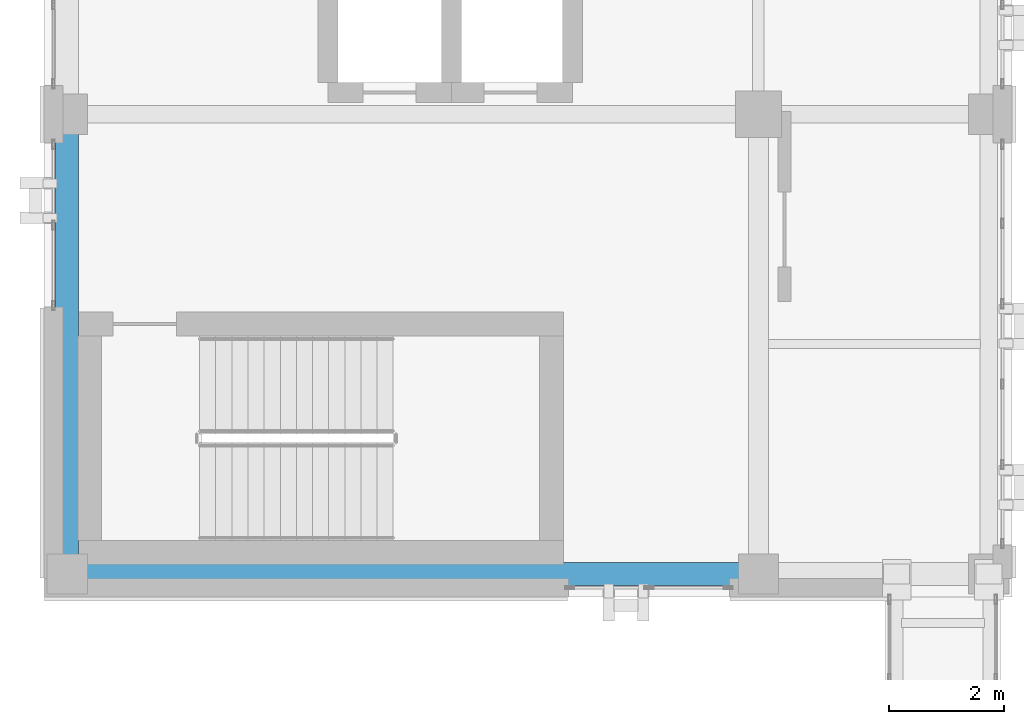
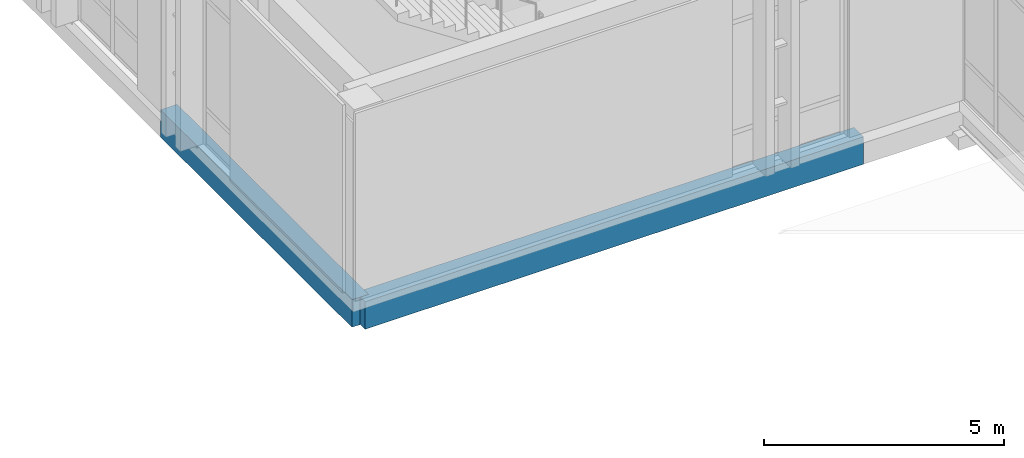
# One storey, part 17 of 189: 2 beams.
"""IFC4 building model written with IfcOpenShell, lengths in metres."""

from ifc_helpers import new_model, si_unit, direction, frame, origin, origin_2d, place, context, subcontext, project, spatial, rectangle, extrude, material, material_profile, profile_set, type_object, element, save


model = new_model("IFC4")

# Units and contexts
model_context = context("Model", 3, precision=1e-05, world=origin(), true_north=direction((0.0, 1.0)))
body_context = subcontext(model_context, "Body", "Model", "MODEL_VIEW")
ifc_project = project(units=[si_unit("LENGTHUNIT", "METRE"), si_unit("AREAUNIT", "SQUARE_METRE"), si_unit("VOLUMEUNIT", "CUBIC_METRE"), si_unit("PLANEANGLEUNIT", "RADIAN"), si_unit("MASSUNIT", "GRAM", prefix="KILO")], contexts=[model_context])

# Site, building, storey
site_placement = place(None, origin())
site = spatial("IfcSite", under=ifc_project, at=site_placement, CompositionType="ELEMENT")
building_placement = place(site_placement, origin())
building = spatial("IfcBuilding", under=site, at=building_placement, Name="Qalavern Law Courts", CompositionType="ELEMENT")
storey_placement = place(building_placement, frame((0.0, 0.0, 5.39990234375)))
storey = spatial("IfcBuildingStorey", under=building, at=storey_placement, Name="L01", CompositionType="ELEMENT", Elevation=5.39990234375)

# Beams
ifc_material = material(Name="Concrete C40/50", Category="concrete")
ifc_material_profile = material_profile(ifc_material, rectangle(XDim=0.39990234375, YDim=0.699951171875, at=origin_2d()), Name="RC 400x700")
ifc_profile_set = profile_set([ifc_material_profile], Name="Concrete C40/50")
beam_type = type_object("IfcBeamType", Name="STR-SP-RC400x700", PredefinedType="SPANDREL", material=ifc_profile_set)
beam_1_placement = place(storey_placement, frame((2.39990234375, 41.419921875, -0.64990234375), z_axis=(1.0, 0.0, 0.0), x_axis=(0.0, 1.0, 0.0)))
element("IfcBeam", 1, at=beam_1_placement, inside=storey, type_object=beam_type, Name="V3 X-beam 1-1 L01", PredefinedType="SPANDREL", context=body_context, shape_type="SweptSolid", body=[
    extrude(rectangle(XDim=0.39990234375, YDim=0.699951171875, at=origin_2d()), origin(), (0.0, 0.0, 1.0), 12.0),
])
beam_2_placement = place(storey_placement, frame((2.39990234375, 41.419921875, -0.64990234375), z_axis=(0.0, 1.0, 0.0), x_axis=(-1.0, 0.0, 0.0)))
element("IfcBeam", 2, at=beam_2_placement, inside=storey, type_object=beam_type, Name="V3 Y-beam 1-1 L01", PredefinedType="SPANDREL", context=body_context, shape_type="SweptSolid", body=[
    extrude(rectangle(XDim=0.39990234375, YDim=0.699951171875, at=origin_2d()), origin(), (0.0, 0.0, 1.0), 7.97998046875),
])

save(model, "model.ifc")
